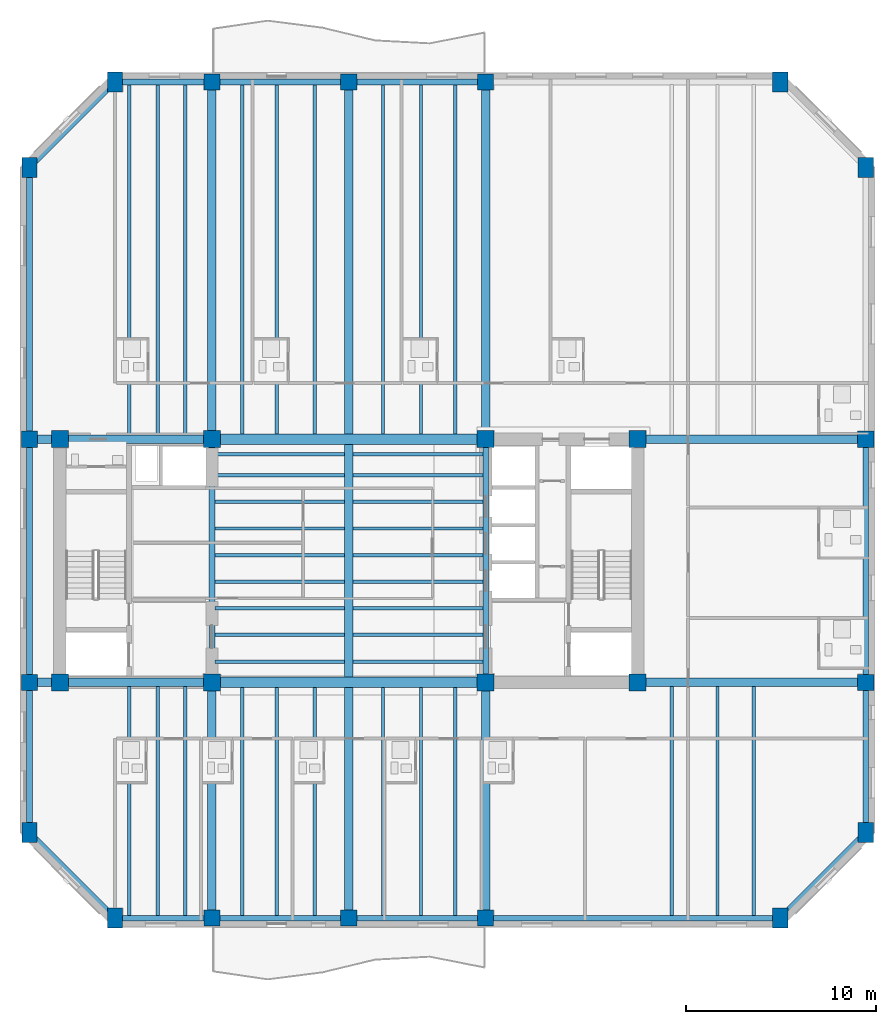
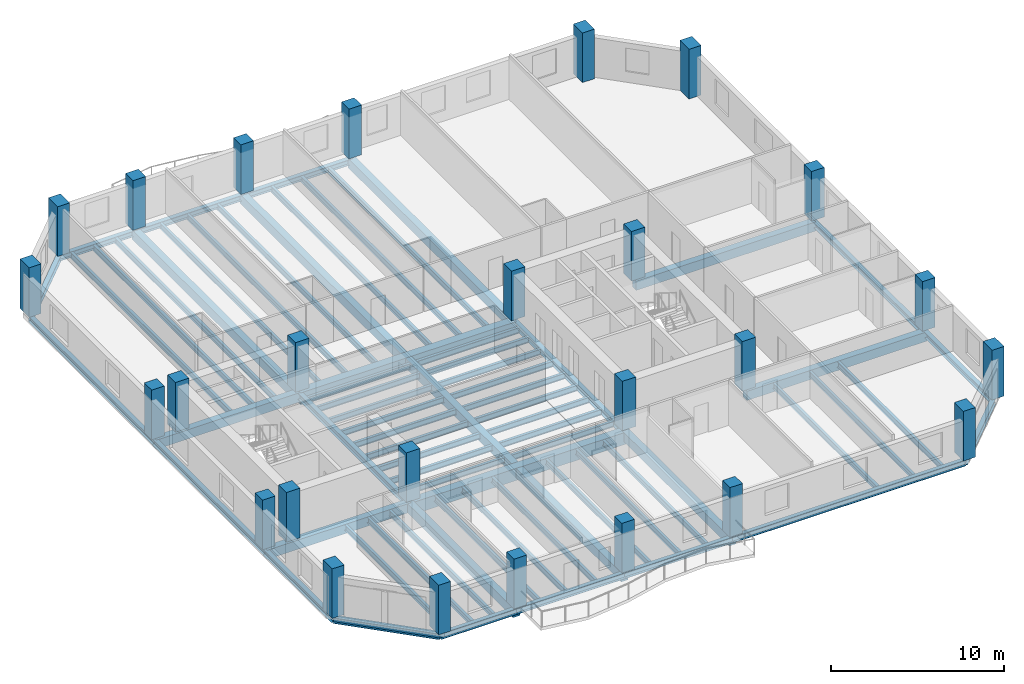
# One storey, part 1 of 11: 69 beams, 26 columns.
"""IFC4 building model written with IfcOpenShell, lengths in metres."""

from ifc_helpers import new_model, si_unit, direction, frame, origin, origin_2d, place, context, subcontext, project, spatial, rectangle, i_section, extrude, material, material_profile, profile_set, type_object, element, save


model = new_model("IFC4")

# Units and contexts
model_context = context("Model", 3, precision=1e-05, world=origin(), true_north=direction((0.0, 1.0)))
body_context = subcontext(model_context, "Body", "Model", "MODEL_VIEW")
ifc_project = project(units=[si_unit("LENGTHUNIT", "METRE"), si_unit("AREAUNIT", "SQUARE_METRE"), si_unit("VOLUMEUNIT", "CUBIC_METRE"), si_unit("PLANEANGLEUNIT", "RADIAN"), si_unit("MASSUNIT", "GRAM", prefix="KILO")], contexts=[model_context])

# Site, building, storey
site_placement = place(None, origin())
site = spatial("IfcSite", under=ifc_project, at=site_placement, CompositionType="ELEMENT")
building_placement = place(site_placement, origin())
building = spatial("IfcBuilding", under=site, at=building_placement, Name="Kranthara Brick Stack", CompositionType="ELEMENT")
storey_placement = place(building_placement, frame((0.0, 0.0, 176.300048828125)))
storey = spatial("IfcBuildingStorey", under=building, at=storey_placement, Name="L45", CompositionType="ELEMENT", Elevation=176.300048828125)

# Columns
ifc_material_1 = material(Name="Concrete C60/75", Category="concrete")
ifc_material_profile_1 = material_profile(ifc_material_1, rectangle(XDim=0.800048828125, YDim=1.050048828125, at=origin_2d()), Name="RC 800x1050")
ifc_profile_set_1 = profile_set([ifc_material_profile_1], Name="Concrete C60/75")
column_type_1 = type_object("IfcColumnType", Name="COL-CHAM-800x1050", PredefinedType="COLUMN", material=ifc_profile_set_1)
for number, where, z_axis, x_axis, name in (
    (1, (15.699951171875, 8.39990234375, 0.0), (0.0, 0.0, 1.0), (1.0, 0.0, 0.0), "L45 Column 09"),
    (2, (15.699951171875, 52.39990234375, 0.0), (0.0, 0.0, 1.0), (1.0, 0.0, 0.0), "L45 Column 10"),
    (3, (50.699951171875, 8.39990234375, 0.0), (0.0, 0.0, 1.0), (1.0, 0.0, 0.0), "L45 Column 17"),
    (4, (50.699951171875, 52.39990234375, 0.0), (0.0, 0.0, 1.0), (1.0, 0.0, 0.0), "L45 Column 18"),
    (5, (11.199951171875, 12.89990234375, 0.0), (0.0, 0.0, 1.0), (1.0, 0.0, 0.0), "L45 Column 19"),
    (6, (55.199951171875, 12.89990234375, 0.0), (0.0, 0.0, 1.0), (1.0, 0.0, 0.0), "L45 Column 20"),
    (7, (11.199951171875, 47.89990234375, 0.0), (0.0, 0.0, 1.0), (1.0, 0.0, 0.0), "L45 Column 25"),
    (8, (55.199951171875, 47.89990234375, 0.0), (0.0, 0.0, 1.0), (1.0, 0.0, 0.0), "L45 Column 26"),
):
    element("IfcColumn", number, at=place(storey_placement, frame(where, z_axis=z_axis, x_axis=x_axis)), inside=storey, type_object=column_type_1, Name=name, PredefinedType="COLUMN", context=body_context, shape_type="SweptSolid", body=[
        extrude(rectangle(XDim=0.800048828125, YDim=1.050048828125, at=origin_2d()), origin(), (0.0, 0.0, 1.0), 3.5),
    ])
ifc_material_2 = material(Name="Concrete C60/75", Category="concrete")
ifc_material_profile_2 = material_profile(ifc_material_2, rectangle(XDim=0.89990234375, YDim=0.89990234375, at=origin_2d()), Name="RC 900x900")
ifc_profile_set_2 = profile_set([ifc_material_profile_2], Name="Concrete C60/75")
column_type_2 = type_object("IfcColumnType", Name="COL-CORE-900", PredefinedType="COLUMN", material=ifc_profile_set_2)
for number, where, z_axis, x_axis, name in (
    (9, (12.800048828125, 20.800048828125, 0.0), (0.0, 0.0, 1.0), (1.0, 0.0, 0.0), "L45 Column 01"),
    (10, (20.800048828125, 20.800048828125, 0.0), (0.0, 0.0, 1.0), (1.0, 0.0, 0.0), "L45 Column 02"),
    (11, (12.800048828125, 33.60009765625, 0.0), (0.0, 0.0, 1.0), (1.0, 0.0, 0.0), "L45 Column 03"),
    (12, (20.800048828125, 33.60009765625, 0.0), (0.0, 0.0, 1.0), (1.0, 0.0, 0.0), "L45 Column 04"),
    (13, (35.199951171875, 20.800048828125, 0.0), (0.0, 0.0, 1.0), (1.0, 0.0, 0.0), "L45 Column 05"),
    (14, (43.199951171875, 20.800048828125, 0.0), (0.0, 0.0, 1.0), (1.0, 0.0, 0.0), "L45 Column 06"),
    (15, (35.199951171875, 33.60009765625, 0.0), (0.0, 0.0, 1.0), (1.0, 0.0, 0.0), "L45 Column 07"),
    (16, (43.199951171875, 33.60009765625, 0.0), (0.0, 0.0, 1.0), (1.0, 0.0, 0.0), "L45 Column 08"),
):
    element("IfcColumn", number, at=place(storey_placement, frame(where, z_axis=z_axis, x_axis=x_axis)), inside=storey, type_object=column_type_2, Name=name, PredefinedType="COLUMN", context=body_context, shape_type="SweptSolid", body=[
        extrude(rectangle(XDim=0.89990234375, YDim=0.89990234375, at=origin_2d()), origin(), (0.0, 0.0, 1.0), 3.5),
    ])
ifc_material_3 = material(Name="Concrete C50/60", Category="concrete")
ifc_material_profile_3 = material_profile(ifc_material_3, rectangle(XDim=0.85009765625, YDim=0.85009765625, at=origin_2d()), Name="RC 850x850")
ifc_profile_set_3 = profile_set([ifc_material_profile_3], Name="Concrete C50/60")
column_type_3 = type_object("IfcColumnType", Name="COL-PER-850", PredefinedType="COLUMN", material=ifc_profile_set_3)
for number, where, z_axis, x_axis, name in (
    (17, (20.800048828125, 8.39990234375, 0.0), (0.0, 0.0, 1.0), (1.0, 0.0, 0.0), "L45 Column 11"),
    (18, (20.800048828125, 52.39990234375, 0.0), (0.0, 0.0, 1.0), (1.0, 0.0, 0.0), "L45 Column 12"),
    (19, (28.0, 8.39990234375, 0.0), (0.0, 0.0, 1.0), (1.0, 0.0, 0.0), "L45 Column 13"),
    (20, (28.0, 52.39990234375, 0.0), (0.0, 0.0, 1.0), (1.0, 0.0, 0.0), "L45 Column 14"),
    (21, (35.199951171875, 8.39990234375, 0.0), (0.0, 0.0, 1.0), (1.0, 0.0, 0.0), "L45 Column 15"),
    (22, (35.199951171875, 52.39990234375, 0.0), (0.0, 0.0, 1.0), (1.0, 0.0, 0.0), "L45 Column 16"),
    (23, (11.199951171875, 20.800048828125, 0.0), (0.0, 0.0, 1.0), (1.0, 0.0, 0.0), "L45 Column 21"),
    (24, (55.199951171875, 20.800048828125, 0.0), (0.0, 0.0, 1.0), (1.0, 0.0, 0.0), "L45 Column 22"),
    (25, (11.199951171875, 33.60009765625, 0.0), (0.0, 0.0, 1.0), (1.0, 0.0, 0.0), "L45 Column 23"),
    (26, (55.199951171875, 33.60009765625, 0.0), (0.0, 0.0, 1.0), (1.0, 0.0, 0.0), "L45 Column 24"),
):
    element("IfcColumn", number, at=place(storey_placement, frame(where, z_axis=z_axis, x_axis=x_axis)), inside=storey, type_object=column_type_3, Name=name, PredefinedType="COLUMN", context=body_context, shape_type="SweptSolid", body=[
        extrude(rectangle(XDim=0.85009765625, YDim=0.85009765625, at=origin_2d()), origin(), (0.0, 0.0, 1.0), 3.5),
    ])

# Beams
ifc_material_4 = material(Name="Concrete C50/60", Category="concrete")
ifc_material_profile_4 = material_profile(ifc_material_4, rectangle(XDim=0.550048828125, YDim=0.85009765625, at=origin_2d()), Name="RC 550x850")
ifc_profile_set_4 = profile_set([ifc_material_profile_4], Name="Concrete C50/60")
beam_type_1 = type_object("IfcBeamType", Name="BM-CPL-RC850", PredefinedType="LINTEL", material=ifc_profile_set_4)
for number, where, z_axis, x_axis, name in (
    (27, (20.800048828125, 20.800048828125, -0.72509765625), (1.0, 0.0, 0.0), (0.0, 1.0, 0.0), "L45 Core Coupling Beam 001"),
    (28, (20.800048828125, 33.60009765625, -0.72509765625), (1.0, 0.0, 0.0), (0.0, 1.0, 0.0), "L45 Core Coupling Beam 002"),
):
    element("IfcBeam", number, at=place(storey_placement, frame(where, z_axis=z_axis, x_axis=x_axis)), inside=storey, type_object=beam_type_1, Name=name, PredefinedType="LINTEL", context=body_context, shape_type="SweptSolid", body=[
        extrude(rectangle(XDim=0.550048828125, YDim=0.85009765625, at=origin_2d()), origin(), (0.0, 0.0, 1.0), 14.39990234375),
    ])
ifc_material_5 = material(Name="Post-tensioned concrete C45/55", Category="concrete")
ifc_material_profile_5 = material_profile(ifc_material_5, rectangle(XDim=0.449951171875, YDim=0.64990234375, at=origin_2d()), Name="PT 450x650")
ifc_profile_set_5 = profile_set([ifc_material_profile_5], Name="Post-tensioned concrete C45/55")
beam_type_2 = type_object("IfcBeamType", Name="BM-FLR-PT650", PredefinedType="BEAM", material=ifc_profile_set_5)
beam_1_placement = place(storey_placement, frame((20.800048828125, 8.39990234375, -0.625), z_axis=(0.0, 1.0, 0.0), x_axis=(-1.0, 0.0, 0.0)))
element("IfcBeam", 29, at=beam_1_placement, inside=storey, type_object=beam_type_2, Name="L45 Primary Grid Girder 023", PredefinedType="BEAM", context=body_context, shape_type="SweptSolid", body=[
    extrude(rectangle(XDim=0.449951171875, YDim=0.64990234375, at=origin_2d()), origin(), (0.0, 0.0, 1.0), 12.400146484375),
])
beam_2_placement = place(storey_placement, frame((20.800048828125, 33.60009765625, -0.625), z_axis=(0.0, 1.0, 0.0), x_axis=(-1.0, 0.0, 0.0)))
element("IfcBeam", 30, at=beam_2_placement, inside=storey, type_object=beam_type_2, Name="L45 Primary Grid Girder 024", PredefinedType="BEAM", context=body_context, shape_type="SweptSolid", body=[
    extrude(rectangle(XDim=0.449951171875, YDim=0.64990234375, at=origin_2d()), origin(), (0.0, 0.0, 1.0), 18.7998046875),
])
beam_3_placement = place(storey_placement, frame((28.0, 8.39990234375, -0.625), z_axis=(0.0, 1.0, 0.0), x_axis=(-1.0, 0.0, 0.0)))
element("IfcBeam", 31, at=beam_3_placement, inside=storey, type_object=beam_type_2, Name="L45 Primary Grid Girder 025", PredefinedType="BEAM", context=body_context, shape_type="SweptSolid", body=[
    extrude(rectangle(XDim=0.449951171875, YDim=0.64990234375, at=origin_2d()), origin(), (0.0, 0.0, 1.0), 12.125),
])
beam_4_placement = place(storey_placement, frame((28.0, 21.074951171875, -0.625), z_axis=(0.0, 1.0, 0.0), x_axis=(-1.0, 0.0, 0.0)))
element("IfcBeam", 32, at=beam_4_placement, inside=storey, type_object=beam_type_2, Name="L45 Central Spine Girder 026", PredefinedType="BEAM", context=body_context, shape_type="SweptSolid", body=[
    extrude(rectangle(XDim=0.449951171875, YDim=0.64990234375, at=origin_2d()), origin(), (0.0, 0.0, 1.0), 12.25),
])
beam_5_placement = place(storey_placement, frame((28.0, 33.875, -0.625), z_axis=(0.0, 1.0, 0.0), x_axis=(-1.0, 0.0, 0.0)))
element("IfcBeam", 33, at=beam_5_placement, inside=storey, type_object=beam_type_2, Name="L45 Primary Grid Girder 027", PredefinedType="BEAM", context=body_context, shape_type="SweptSolid", body=[
    extrude(rectangle(XDim=0.449951171875, YDim=0.64990234375, at=origin_2d()), origin(), (0.0, 0.0, 1.0), 18.52490234375),
])
beam_6_placement = place(storey_placement, frame((35.199951171875, 8.39990234375, -0.625), z_axis=(0.0, 1.0, 0.0), x_axis=(-1.0, 0.0, 0.0)))
element("IfcBeam", 34, at=beam_6_placement, inside=storey, type_object=beam_type_2, Name="L45 Primary Grid Girder 028", PredefinedType="BEAM", context=body_context, shape_type="SweptSolid", body=[
    extrude(rectangle(XDim=0.449951171875, YDim=0.64990234375, at=origin_2d()), origin(), (0.0, 0.0, 1.0), 12.400146484375),
])
beam_7_placement = place(storey_placement, frame((35.199951171875, 33.60009765625, -0.625), z_axis=(0.0, 1.0, 0.0), x_axis=(-1.0, 0.0, 0.0)))
element("IfcBeam", 35, at=beam_7_placement, inside=storey, type_object=beam_type_2, Name="L45 Primary Grid Girder 029", PredefinedType="BEAM", context=body_context, shape_type="SweptSolid", body=[
    extrude(rectangle(XDim=0.449951171875, YDim=0.64990234375, at=origin_2d()), origin(), (0.0, 0.0, 1.0), 18.7998046875),
])
beam_8_placement = place(storey_placement, frame((11.199951171875, 20.800048828125, -0.625), z_axis=(1.0, 0.0, 0.0), x_axis=(0.0, 1.0, 0.0)))
element("IfcBeam", 36, at=beam_8_placement, inside=storey, type_object=beam_type_2, Name="L45 Primary Grid Girder 030", PredefinedType="BEAM", context=body_context, shape_type="SweptSolid", body=[
    extrude(rectangle(XDim=0.449951171875, YDim=0.64990234375, at=origin_2d()), origin(), (0.0, 0.0, 1.0), 9.60009765625),
])
beam_9_placement = place(storey_placement, frame((43.199951171875, 20.800048828125, -0.625), z_axis=(1.0, 0.0, 0.0), x_axis=(0.0, 1.0, 0.0)))
element("IfcBeam", 37, at=beam_9_placement, inside=storey, type_object=beam_type_2, Name="L45 Primary Grid Girder 031", PredefinedType="BEAM", context=body_context, shape_type="SweptSolid", body=[
    extrude(rectangle(XDim=0.449951171875, YDim=0.64990234375, at=origin_2d()), origin(), (0.0, 0.0, 1.0), 12.0),
])
beam_10_placement = place(storey_placement, frame((11.199951171875, 33.60009765625, -0.625), z_axis=(1.0, 0.0, 0.0), x_axis=(0.0, 1.0, 0.0)))
element("IfcBeam", 38, at=beam_10_placement, inside=storey, type_object=beam_type_2, Name="L45 Primary Grid Girder 032", PredefinedType="BEAM", context=body_context, shape_type="SweptSolid", body=[
    extrude(rectangle(XDim=0.449951171875, YDim=0.64990234375, at=origin_2d()), origin(), (0.0, 0.0, 1.0), 9.60009765625),
])
beam_11_placement = place(storey_placement, frame((43.199951171875, 33.60009765625, -0.625), z_axis=(1.0, 0.0, 0.0), x_axis=(0.0, 1.0, 0.0)))
element("IfcBeam", 39, at=beam_11_placement, inside=storey, type_object=beam_type_2, Name="L45 Primary Grid Girder 033", PredefinedType="BEAM", context=body_context, shape_type="SweptSolid", body=[
    extrude(rectangle(XDim=0.449951171875, YDim=0.64990234375, at=origin_2d()), origin(), (0.0, 0.0, 1.0), 12.0),
])
ifc_material_6 = material(Name="Steel S355", Category="steel")
ifc_material_profile_6 = material_profile(ifc_material_6, i_section(OverallWidth=0.179931640625, OverallDepth=0.39990234375, WebThickness=0.008544921875, FlangeThickness=0.013427734375, at=origin_2d()), Name="IPE 400")
ifc_profile_set_6 = profile_set([ifc_material_profile_6], Name="Steel S355")
beam_type_3 = type_object("IfcBeamType", Name="BM-JST-IPE400", PredefinedType="JOIST", material=ifc_profile_set_6)
for number, where, z_axis, x_axis, name in (
    (40, (20.949951171875, 21.89990234375, -0.5), (1.0, 0.0, 0.0), (0.0, 1.0, 0.0), "L45 Central Floor Joist 034"),
    (41, (28.22509765625, 21.89990234375, -0.5), (1.0, 0.0, 0.0), (0.0, 1.0, 0.0), "L45 Central Floor Joist 035"),
    (42, (20.949951171875, 23.300048828125, -0.5), (1.0, 0.0, 0.0), (0.0, 1.0, 0.0), "L45 Central Floor Joist 036"),
    (43, (28.22509765625, 23.300048828125, -0.5), (1.0, 0.0, 0.0), (0.0, 1.0, 0.0), "L45 Central Floor Joist 037"),
    (44, (20.949951171875, 24.699951171875, -0.5), (1.0, 0.0, 0.0), (0.0, 1.0, 0.0), "L45 Central Floor Joist 038"),
    (45, (28.22509765625, 24.699951171875, -0.5), (1.0, 0.0, 0.0), (0.0, 1.0, 0.0), "L45 Central Floor Joist 039"),
    (46, (20.949951171875, 26.10009765625, -0.5), (1.0, 0.0, 0.0), (0.0, 1.0, 0.0), "L45 Central Floor Joist 040"),
    (47, (28.22509765625, 26.10009765625, -0.5), (1.0, 0.0, 0.0), (0.0, 1.0, 0.0), "L45 Central Floor Joist 041"),
    (48, (20.949951171875, 27.5, -0.5), (1.0, 0.0, 0.0), (0.0, 1.0, 0.0), "L45 Central Floor Joist 042"),
    (49, (28.22509765625, 27.5, -0.5), (1.0, 0.0, 0.0), (0.0, 1.0, 0.0), "L45 Central Floor Joist 043"),
    (50, (20.949951171875, 28.89990234375, -0.5), (1.0, 0.0, 0.0), (0.0, 1.0, 0.0), "L45 Central Floor Joist 044"),
    (51, (28.22509765625, 28.89990234375, -0.5), (1.0, 0.0, 0.0), (0.0, 1.0, 0.0), "L45 Central Floor Joist 045"),
    (52, (20.949951171875, 30.300048828125, -0.5), (1.0, 0.0, 0.0), (0.0, 1.0, 0.0), "L45 Central Floor Joist 046"),
    (53, (28.22509765625, 30.300048828125, -0.5), (1.0, 0.0, 0.0), (0.0, 1.0, 0.0), "L45 Central Floor Joist 047"),
    (54, (20.949951171875, 31.699951171875, -0.5), (1.0, 0.0, 0.0), (0.0, 1.0, 0.0), "L45 Central Floor Joist 048"),
    (55, (28.22509765625, 31.699951171875, -0.5), (1.0, 0.0, 0.0), (0.0, 1.0, 0.0), "L45 Central Floor Joist 049"),
    (56, (20.949951171875, 32.800048828125, -0.5), (1.0, 0.0, 0.0), (0.0, 1.0, 0.0), "L45 Central Floor Joist 050"),
    (57, (28.22509765625, 32.800048828125, -0.5), (1.0, 0.0, 0.0), (0.0, 1.0, 0.0), "L45 Central Floor Joist 051"),
):
    element("IfcBeam", number, at=place(storey_placement, frame(where, z_axis=z_axis, x_axis=x_axis)), inside=storey, type_object=beam_type_3, Name=name, PredefinedType="JOIST", context=body_context, shape_type="SweptSolid", body=[
        extrude(i_section(OverallWidth=0.179931640625, OverallDepth=0.39990234375, WebThickness=0.008544921875, FlangeThickness=0.013427734375, at=origin_2d()), origin(), (0.0, 0.0, 1.0), 6.824951171875),
    ])
beam_12_placement = place(storey_placement, frame((16.449951171875, 8.550048828125, -0.5), z_axis=(0.0, 1.0, 0.0), x_axis=(-1.0, 0.0, 0.0)))
element("IfcBeam", 58, at=beam_12_placement, inside=storey, type_object=beam_type_3, Name="L45 South Wing Floor Joist 052", PredefinedType="JOIST", context=body_context, shape_type="SweptSolid", body=[
    extrude(i_section(OverallWidth=0.179931640625, OverallDepth=0.39990234375, WebThickness=0.008544921875, FlangeThickness=0.013427734375, at=origin_2d()), origin(), (0.0, 0.0, 1.0), 12.02490234375),
])
beam_13_placement = place(storey_placement, frame((16.449951171875, 33.824951171875, -0.5), z_axis=(0.0, 1.0, 0.0), x_axis=(-1.0, 0.0, 0.0)))
element("IfcBeam", 59, at=beam_13_placement, inside=storey, type_object=beam_type_3, Name="L45 North Wing Floor Joist 053", PredefinedType="JOIST", context=body_context, shape_type="SweptSolid", body=[
    extrude(i_section(OverallWidth=0.179931640625, OverallDepth=0.39990234375, WebThickness=0.008544921875, FlangeThickness=0.013427734375, at=origin_2d()), origin(), (0.0, 0.0, 1.0), 18.425048828125),
])
beam_14_placement = place(storey_placement, frame((17.949951171875, 8.550048828125, -0.5), z_axis=(0.0, 1.0, 0.0), x_axis=(-1.0, 0.0, 0.0)))
element("IfcBeam", 60, at=beam_14_placement, inside=storey, type_object=beam_type_3, Name="L45 South Wing Floor Joist 054", PredefinedType="JOIST", context=body_context, shape_type="SweptSolid", body=[
    extrude(i_section(OverallWidth=0.179931640625, OverallDepth=0.39990234375, WebThickness=0.008544921875, FlangeThickness=0.013427734375, at=origin_2d()), origin(), (0.0, 0.0, 1.0), 12.02490234375),
])
beam_15_placement = place(storey_placement, frame((17.949951171875, 33.824951171875, -0.5), z_axis=(0.0, 1.0, 0.0), x_axis=(-1.0, 0.0, 0.0)))
element("IfcBeam", 61, at=beam_15_placement, inside=storey, type_object=beam_type_3, Name="L45 North Wing Floor Joist 055", PredefinedType="JOIST", context=body_context, shape_type="SweptSolid", body=[
    extrude(i_section(OverallWidth=0.179931640625, OverallDepth=0.39990234375, WebThickness=0.008544921875, FlangeThickness=0.013427734375, at=origin_2d()), origin(), (0.0, 0.0, 1.0), 18.425048828125),
])
beam_16_placement = place(storey_placement, frame((19.39990234375, 8.550048828125, -0.5), z_axis=(0.0, 1.0, 0.0), x_axis=(-1.0, 0.0, 0.0)))
element("IfcBeam", 62, at=beam_16_placement, inside=storey, type_object=beam_type_3, Name="L45 South Wing Floor Joist 056", PredefinedType="JOIST", context=body_context, shape_type="SweptSolid", body=[
    extrude(i_section(OverallWidth=0.179931640625, OverallDepth=0.39990234375, WebThickness=0.008544921875, FlangeThickness=0.013427734375, at=origin_2d()), origin(), (0.0, 0.0, 1.0), 12.02490234375),
])
beam_17_placement = place(storey_placement, frame((19.39990234375, 33.824951171875, -0.5), z_axis=(0.0, 1.0, 0.0), x_axis=(-1.0, 0.0, 0.0)))
element("IfcBeam", 63, at=beam_17_placement, inside=storey, type_object=beam_type_3, Name="L45 North Wing Floor Joist 057", PredefinedType="JOIST", context=body_context, shape_type="SweptSolid", body=[
    extrude(i_section(OverallWidth=0.179931640625, OverallDepth=0.39990234375, WebThickness=0.008544921875, FlangeThickness=0.013427734375, at=origin_2d()), origin(), (0.0, 0.0, 1.0), 18.425048828125),
])
beam_18_placement = place(storey_placement, frame((22.39990234375, 8.550048828125, -0.5), z_axis=(0.0, 1.0, 0.0), x_axis=(-1.0, 0.0, 0.0)))
element("IfcBeam", 64, at=beam_18_placement, inside=storey, type_object=beam_type_3, Name="L45 South Wing Floor Joist 058", PredefinedType="JOIST", context=body_context, shape_type="SweptSolid", body=[
    extrude(i_section(OverallWidth=0.179931640625, OverallDepth=0.39990234375, WebThickness=0.008544921875, FlangeThickness=0.013427734375, at=origin_2d()), origin(), (0.0, 0.0, 1.0), 11.974853515625),
])
beam_19_placement = place(storey_placement, frame((22.39990234375, 33.875, -0.5), z_axis=(0.0, 1.0, 0.0), x_axis=(-1.0, 0.0, 0.0)))
element("IfcBeam", 65, at=beam_19_placement, inside=storey, type_object=beam_type_3, Name="L45 North Wing Floor Joist 059", PredefinedType="JOIST", context=body_context, shape_type="SweptSolid", body=[
    extrude(i_section(OverallWidth=0.179931640625, OverallDepth=0.39990234375, WebThickness=0.008544921875, FlangeThickness=0.013427734375, at=origin_2d()), origin(), (0.0, 0.0, 1.0), 18.375),
])
beam_20_placement = place(storey_placement, frame((24.199951171875, 8.550048828125, -0.5), z_axis=(0.0, 1.0, 0.0), x_axis=(-1.0, 0.0, 0.0)))
element("IfcBeam", 66, at=beam_20_placement, inside=storey, type_object=beam_type_3, Name="L45 South Wing Floor Joist 060", PredefinedType="JOIST", context=body_context, shape_type="SweptSolid", body=[
    extrude(i_section(OverallWidth=0.179931640625, OverallDepth=0.39990234375, WebThickness=0.008544921875, FlangeThickness=0.013427734375, at=origin_2d()), origin(), (0.0, 0.0, 1.0), 11.974853515625),
])
beam_21_placement = place(storey_placement, frame((24.199951171875, 33.875, -0.5), z_axis=(0.0, 1.0, 0.0), x_axis=(-1.0, 0.0, 0.0)))
element("IfcBeam", 67, at=beam_21_placement, inside=storey, type_object=beam_type_3, Name="L45 North Wing Floor Joist 061", PredefinedType="JOIST", context=body_context, shape_type="SweptSolid", body=[
    extrude(i_section(OverallWidth=0.179931640625, OverallDepth=0.39990234375, WebThickness=0.008544921875, FlangeThickness=0.013427734375, at=origin_2d()), origin(), (0.0, 0.0, 1.0), 18.375),
])
beam_22_placement = place(storey_placement, frame((26.199951171875, 8.550048828125, -0.5), z_axis=(0.0, 1.0, 0.0), x_axis=(-1.0, 0.0, 0.0)))
element("IfcBeam", 68, at=beam_22_placement, inside=storey, type_object=beam_type_3, Name="L45 South Wing Floor Joist 062", PredefinedType="JOIST", context=body_context, shape_type="SweptSolid", body=[
    extrude(i_section(OverallWidth=0.179931640625, OverallDepth=0.39990234375, WebThickness=0.008544921875, FlangeThickness=0.013427734375, at=origin_2d()), origin(), (0.0, 0.0, 1.0), 11.974853515625),
])
beam_23_placement = place(storey_placement, frame((26.199951171875, 33.875, -0.5), z_axis=(0.0, 1.0, 0.0), x_axis=(-1.0, 0.0, 0.0)))
element("IfcBeam", 69, at=beam_23_placement, inside=storey, type_object=beam_type_3, Name="L45 North Wing Floor Joist 063", PredefinedType="JOIST", context=body_context, shape_type="SweptSolid", body=[
    extrude(i_section(OverallWidth=0.179931640625, OverallDepth=0.39990234375, WebThickness=0.008544921875, FlangeThickness=0.013427734375, at=origin_2d()), origin(), (0.0, 0.0, 1.0), 18.375),
])
beam_24_placement = place(storey_placement, frame((29.800048828125, 8.550048828125, -0.5), z_axis=(0.0, 1.0, 0.0), x_axis=(-1.0, 0.0, 0.0)))
element("IfcBeam", 70, at=beam_24_placement, inside=storey, type_object=beam_type_3, Name="L45 South Wing Floor Joist 064", PredefinedType="JOIST", context=body_context, shape_type="SweptSolid", body=[
    extrude(i_section(OverallWidth=0.179931640625, OverallDepth=0.39990234375, WebThickness=0.008544921875, FlangeThickness=0.013427734375, at=origin_2d()), origin(), (0.0, 0.0, 1.0), 11.974853515625),
])
beam_25_placement = place(storey_placement, frame((29.800048828125, 33.875, -0.5), z_axis=(0.0, 1.0, 0.0), x_axis=(-1.0, 0.0, 0.0)))
element("IfcBeam", 71, at=beam_25_placement, inside=storey, type_object=beam_type_3, Name="L45 North Wing Floor Joist 065", PredefinedType="JOIST", context=body_context, shape_type="SweptSolid", body=[
    extrude(i_section(OverallWidth=0.179931640625, OverallDepth=0.39990234375, WebThickness=0.008544921875, FlangeThickness=0.013427734375, at=origin_2d()), origin(), (0.0, 0.0, 1.0), 18.375),
])
beam_26_placement = place(storey_placement, frame((31.800048828125, 8.550048828125, -0.5), z_axis=(0.0, 1.0, 0.0), x_axis=(-1.0, 0.0, 0.0)))
element("IfcBeam", 72, at=beam_26_placement, inside=storey, type_object=beam_type_3, Name="L45 South Wing Floor Joist 066", PredefinedType="JOIST", context=body_context, shape_type="SweptSolid", body=[
    extrude(i_section(OverallWidth=0.179931640625, OverallDepth=0.39990234375, WebThickness=0.008544921875, FlangeThickness=0.013427734375, at=origin_2d()), origin(), (0.0, 0.0, 1.0), 11.974853515625),
])
beam_27_placement = place(storey_placement, frame((31.800048828125, 33.875, -0.5), z_axis=(0.0, 1.0, 0.0), x_axis=(-1.0, 0.0, 0.0)))
element("IfcBeam", 73, at=beam_27_placement, inside=storey, type_object=beam_type_3, Name="L45 North Wing Floor Joist 067", PredefinedType="JOIST", context=body_context, shape_type="SweptSolid", body=[
    extrude(i_section(OverallWidth=0.179931640625, OverallDepth=0.39990234375, WebThickness=0.008544921875, FlangeThickness=0.013427734375, at=origin_2d()), origin(), (0.0, 0.0, 1.0), 18.375),
])
beam_28_placement = place(storey_placement, frame((33.60009765625, 8.550048828125, -0.5), z_axis=(0.0, 1.0, 0.0), x_axis=(-1.0, 0.0, 0.0)))
element("IfcBeam", 74, at=beam_28_placement, inside=storey, type_object=beam_type_3, Name="L45 South Wing Floor Joist 068", PredefinedType="JOIST", context=body_context, shape_type="SweptSolid", body=[
    extrude(i_section(OverallWidth=0.179931640625, OverallDepth=0.39990234375, WebThickness=0.008544921875, FlangeThickness=0.013427734375, at=origin_2d()), origin(), (0.0, 0.0, 1.0), 11.974853515625),
])
beam_29_placement = place(storey_placement, frame((33.60009765625, 33.875, -0.5), z_axis=(0.0, 1.0, 0.0), x_axis=(-1.0, 0.0, 0.0)))
element("IfcBeam", 75, at=beam_29_placement, inside=storey, type_object=beam_type_3, Name="L45 North Wing Floor Joist 069", PredefinedType="JOIST", context=body_context, shape_type="SweptSolid", body=[
    extrude(i_section(OverallWidth=0.179931640625, OverallDepth=0.39990234375, WebThickness=0.008544921875, FlangeThickness=0.013427734375, at=origin_2d()), origin(), (0.0, 0.0, 1.0), 18.375),
])
for number, where, z_axis, x_axis, name in (
    (76, (45.0, 8.550048828125, -0.5), (0.0, 1.0, 0.0), (-1.0, 0.0, 0.0), "L45 South Wing Floor Joist 070"),
    (77, (47.39990234375, 8.550048828125, -0.5), (0.0, 1.0, 0.0), (-1.0, 0.0, 0.0), "L45 South Wing Floor Joist 072"),
    (78, (49.300048828125, 8.550048828125, -0.5), (0.0, 1.0, 0.0), (-1.0, 0.0, 0.0), "L45 South Wing Floor Joist 074"),
):
    element("IfcBeam", number, at=place(storey_placement, frame(where, z_axis=z_axis, x_axis=x_axis)), inside=storey, type_object=beam_type_3, Name=name, PredefinedType="JOIST", context=body_context, shape_type="SweptSolid", body=[
        extrude(i_section(OverallWidth=0.179931640625, OverallDepth=0.39990234375, WebThickness=0.008544921875, FlangeThickness=0.013427734375, at=origin_2d()), origin(), (0.0, 0.0, 1.0), 12.02490234375),
    ])
ifc_material_7 = material(Name="Steel S355", Category="steel")
ifc_material_profile_7 = material_profile(ifc_material_7, i_section(OverallWidth=0.300048828125, OverallDepth=0.39990234375, WebThickness=0.013427734375, FlangeThickness=0.02392578125, at=origin_2d()), Name="HEB 400")
ifc_profile_set_7 = profile_set([ifc_material_profile_7], Name="Steel S355")
beam_type_4 = type_object("IfcBeamType", Name="BM-STL-HEB400", PredefinedType="SPANDREL", material=ifc_profile_set_7)
beam_30_placement = place(storey_placement, frame((15.699951171875, 8.39990234375, -0.5), z_axis=(1.0, 0.0, 0.0), x_axis=(0.0, 1.0, 0.0)))
element("IfcBeam", 79, at=beam_30_placement, inside=storey, type_object=beam_type_4, Name="L45 Perimeter Spandrel Beam 005", PredefinedType="SPANDREL", context=body_context, shape_type="SweptSolid", body=[
    extrude(i_section(OverallWidth=0.300048828125, OverallDepth=0.39990234375, WebThickness=0.013427734375, FlangeThickness=0.02392578125, at=origin_2d()), origin(), (0.0, 0.0, 1.0), 5.10009765625),
])
for number, where, z_axis, x_axis, name in (
    (80, (20.800048828125, 8.39990234375, -0.5), (1.0, 0.0, 0.0), (0.0, 1.0, 0.0), "L45 Perimeter Spandrel Beam 006"),
    (81, (28.0, 8.39990234375, -0.5), (1.0, 0.0, 0.0), (0.0, 1.0, 0.0), "L45 Perimeter Spandrel Beam 007"),
):
    element("IfcBeam", number, at=place(storey_placement, frame(where, z_axis=z_axis, x_axis=x_axis)), inside=storey, type_object=beam_type_4, Name=name, PredefinedType="SPANDREL", context=body_context, shape_type="SweptSolid", body=[
        extrude(i_section(OverallWidth=0.300048828125, OverallDepth=0.39990234375, WebThickness=0.013427734375, FlangeThickness=0.02392578125, at=origin_2d()), origin(), (0.0, 0.0, 1.0), 7.199951171875),
    ])
beam_31_placement = place(storey_placement, frame((35.199951171875, 8.39990234375, -0.5), z_axis=(1.0, 0.0, 0.0), x_axis=(0.0, 1.0, 0.0)))
element("IfcBeam", 82, at=beam_31_placement, inside=storey, type_object=beam_type_4, Name="L45 Perimeter Spandrel Beam 008", PredefinedType="SPANDREL", context=body_context, shape_type="SweptSolid", body=[
    extrude(i_section(OverallWidth=0.300048828125, OverallDepth=0.39990234375, WebThickness=0.013427734375, FlangeThickness=0.02392578125, at=origin_2d()), origin(), (0.0, 0.0, 1.0), 15.5),
])
beam_32_placement = place(storey_placement, frame((15.699951171875, 52.39990234375, -0.5), z_axis=(1.0, 0.0, 0.0), x_axis=(0.0, 1.0, 0.0)))
element("IfcBeam", 83, at=beam_32_placement, inside=storey, type_object=beam_type_4, Name="L45 Perimeter Spandrel Beam 009", PredefinedType="SPANDREL", context=body_context, shape_type="SweptSolid", body=[
    extrude(i_section(OverallWidth=0.300048828125, OverallDepth=0.39990234375, WebThickness=0.013427734375, FlangeThickness=0.02392578125, at=origin_2d()), origin(), (0.0, 0.0, 1.0), 5.10009765625),
])
for number, where, z_axis, x_axis, name in (
    (84, (20.800048828125, 52.39990234375, -0.5), (1.0, 0.0, 0.0), (0.0, 1.0, 0.0), "L45 Perimeter Spandrel Beam 010"),
    (85, (28.0, 52.39990234375, -0.5), (1.0, 0.0, 0.0), (0.0, 1.0, 0.0), "L45 Perimeter Spandrel Beam 011"),
):
    element("IfcBeam", number, at=place(storey_placement, frame(where, z_axis=z_axis, x_axis=x_axis)), inside=storey, type_object=beam_type_4, Name=name, PredefinedType="SPANDREL", context=body_context, shape_type="SweptSolid", body=[
        extrude(i_section(OverallWidth=0.300048828125, OverallDepth=0.39990234375, WebThickness=0.013427734375, FlangeThickness=0.02392578125, at=origin_2d()), origin(), (0.0, 0.0, 1.0), 7.199951171875),
    ])
beam_33_placement = place(storey_placement, frame((11.199951171875, 12.89990234375, -0.5), z_axis=(0.0, 1.0, 0.0), x_axis=(-1.0, 0.0, 0.0)))
element("IfcBeam", 86, at=beam_33_placement, inside=storey, type_object=beam_type_4, Name="L45 Perimeter Spandrel Beam 013", PredefinedType="SPANDREL", context=body_context, shape_type="SweptSolid", body=[
    extrude(i_section(OverallWidth=0.300048828125, OverallDepth=0.39990234375, WebThickness=0.013427734375, FlangeThickness=0.02392578125, at=origin_2d()), origin(), (0.0, 0.0, 1.0), 7.900146484375),
])
beam_34_placement = place(storey_placement, frame((11.199951171875, 20.800048828125, -0.5), z_axis=(0.0, 1.0, 0.0), x_axis=(-1.0, 0.0, 0.0)))
element("IfcBeam", 87, at=beam_34_placement, inside=storey, type_object=beam_type_4, Name="L45 Perimeter Spandrel Beam 014", PredefinedType="SPANDREL", context=body_context, shape_type="SweptSolid", body=[
    extrude(i_section(OverallWidth=0.300048828125, OverallDepth=0.39990234375, WebThickness=0.013427734375, FlangeThickness=0.02392578125, at=origin_2d()), origin(), (0.0, 0.0, 1.0), 12.800048828125),
])
beam_35_placement = place(storey_placement, frame((11.199951171875, 33.60009765625, -0.5), z_axis=(0.0, 1.0, 0.0), x_axis=(-1.0, 0.0, 0.0)))
element("IfcBeam", 88, at=beam_35_placement, inside=storey, type_object=beam_type_4, Name="L45 Perimeter Spandrel Beam 015", PredefinedType="SPANDREL", context=body_context, shape_type="SweptSolid", body=[
    extrude(i_section(OverallWidth=0.300048828125, OverallDepth=0.39990234375, WebThickness=0.013427734375, FlangeThickness=0.02392578125, at=origin_2d()), origin(), (0.0, 0.0, 1.0), 14.2998046875),
])
beam_36_placement = place(storey_placement, frame((55.199951171875, 12.89990234375, -0.5), z_axis=(0.0, 1.0, 0.0), x_axis=(-1.0, 0.0, 0.0)))
element("IfcBeam", 89, at=beam_36_placement, inside=storey, type_object=beam_type_4, Name="L45 Perimeter Spandrel Beam 016", PredefinedType="SPANDREL", context=body_context, shape_type="SweptSolid", body=[
    extrude(i_section(OverallWidth=0.300048828125, OverallDepth=0.39990234375, WebThickness=0.013427734375, FlangeThickness=0.02392578125, at=origin_2d()), origin(), (0.0, 0.0, 1.0), 7.900146484375),
])
beam_37_placement = place(storey_placement, frame((55.199951171875, 20.800048828125, -0.5), z_axis=(0.0, 1.0, 0.0), x_axis=(-1.0, 0.0, 0.0)))
element("IfcBeam", 90, at=beam_37_placement, inside=storey, type_object=beam_type_4, Name="L45 Perimeter Spandrel Beam 017", PredefinedType="SPANDREL", context=body_context, shape_type="SweptSolid", body=[
    extrude(i_section(OverallWidth=0.300048828125, OverallDepth=0.39990234375, WebThickness=0.013427734375, FlangeThickness=0.02392578125, at=origin_2d()), origin(), (0.0, 0.0, 1.0), 12.800048828125),
])
for number, where, z_axis, x_axis, name in (
    (91, (15.699951171875, 8.39990234375, -0.5), (-0.707106781187, 0.707106781187, 0.0), (-0.707106781187, -0.707106781187, 0.0), "L45 Chamfer Corner Spandrel 019"),
    (92, (50.699951171875, 8.39990234375, -0.5), (0.707106781187, 0.707106781187, 0.0), (-0.707106781187, 0.707106781187, 0.0), "L45 Chamfer Corner Spandrel 020"),
    (93, (15.699951171875, 52.39990234375, -0.5), (-0.707106781187, -0.707106781187, 0.0), (0.707106781187, -0.707106781187, 0.0), "L45 Chamfer Corner Spandrel 021"),
):
    element("IfcBeam", number, at=place(storey_placement, frame(where, z_axis=z_axis, x_axis=x_axis)), inside=storey, type_object=beam_type_4, Name=name, PredefinedType="SPANDREL", context=body_context, shape_type="SweptSolid", body=[
        extrude(i_section(OverallWidth=0.300048828125, OverallDepth=0.39990234375, WebThickness=0.013427734375, FlangeThickness=0.02392578125, at=origin_2d()), origin(), (0.0, 0.0, 1.0), 6.364013671875),
    ])
ifc_material_8 = material(Name="Steel S355", Category="steel")
ifc_material_profile_8 = material_profile(ifc_material_8, i_section(OverallWidth=0.300048828125, OverallDepth=0.449951171875, WebThickness=0.013916015625, FlangeThickness=0.02587890625, at=origin_2d()), Name="HEB 450")
ifc_profile_set_8 = profile_set([ifc_material_profile_8], Name="Steel S355")
beam_type_5 = type_object("IfcBeamType", Name="BM-STL-HEB450", PredefinedType="SPANDREL", material=ifc_profile_set_8)
for number, where, z_axis, x_axis, name in (
    (94, (20.800048828125, 20.800048828125, -0.525146484375), (0.0, 1.0, 0.0), (-1.0, 0.0, 0.0), "L45 Core Edge Tie Beam 003"),
    (95, (35.199951171875, 20.800048828125, -0.525146484375), (0.0, 1.0, 0.0), (-1.0, 0.0, 0.0), "L45 Core Edge Tie Beam 004"),
):
    element("IfcBeam", number, at=place(storey_placement, frame(where, z_axis=z_axis, x_axis=x_axis)), inside=storey, type_object=beam_type_5, Name=name, PredefinedType="SPANDREL", context=body_context, shape_type="SweptSolid", body=[
        extrude(i_section(OverallWidth=0.300048828125, OverallDepth=0.449951171875, WebThickness=0.013916015625, FlangeThickness=0.02587890625, at=origin_2d()), origin(), (0.0, 0.0, 1.0), 12.800048828125),
    ])

save(model, "model.ifc")
